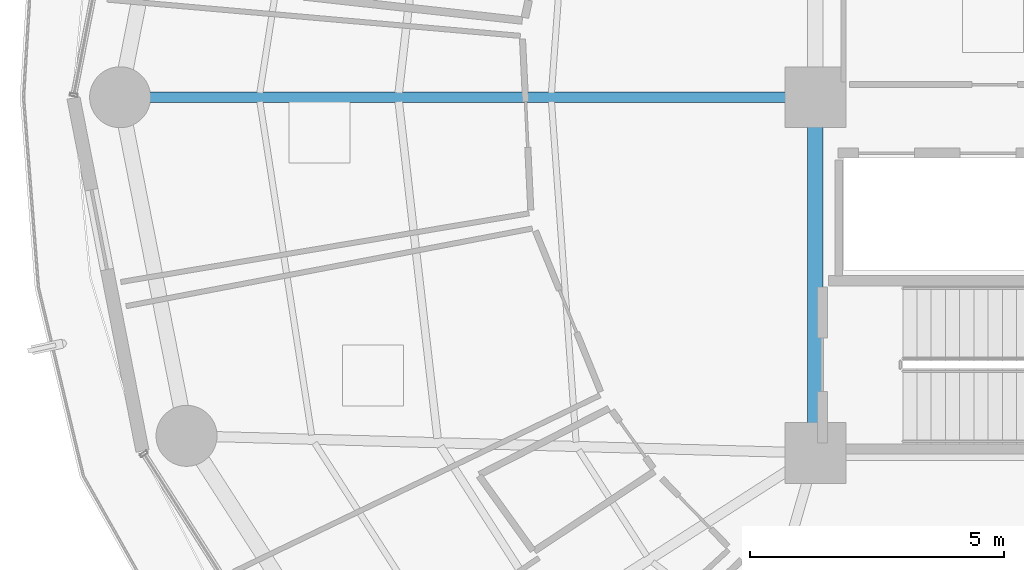
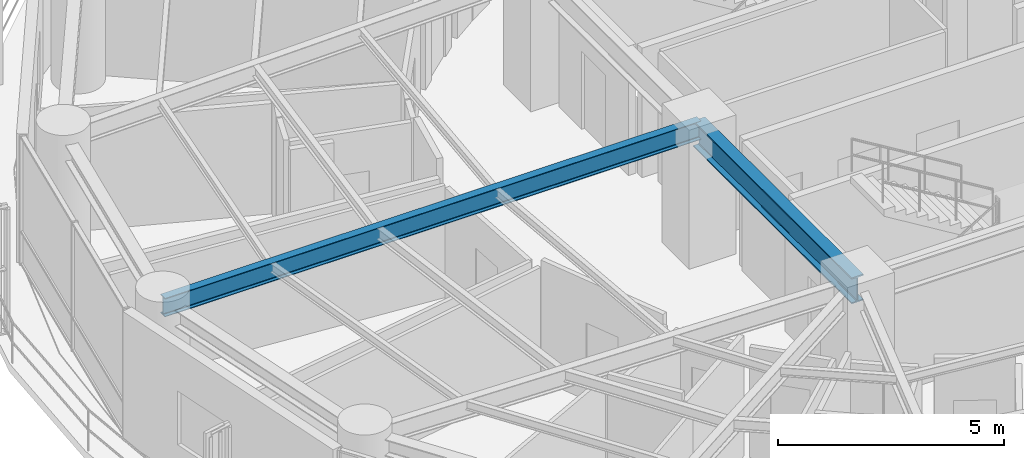
# One storey, part 7 of 28: 2 beams.
"""IFC4 building model written with IfcOpenShell, lengths in metres."""

from ifc_helpers import new_model, si_unit, direction, frame, origin, origin_2d, place, context, subcontext, project, spatial, i_section, extrude, material, material_profile, profile_set, type_object, element, save


model = new_model("IFC4")

# Units and contexts
model_context = context("Model", 3, precision=1e-05, world=origin(), true_north=direction((0.0, 1.0)))
body_context = subcontext(model_context, "Body", "Model", "MODEL_VIEW")
ifc_project = project(units=[si_unit("LENGTHUNIT", "METRE"), si_unit("AREAUNIT", "SQUARE_METRE"), si_unit("VOLUMEUNIT", "CUBIC_METRE"), si_unit("PLANEANGLEUNIT", "RADIAN"), si_unit("MASSUNIT", "GRAM", prefix="KILO")], contexts=[model_context])

# Site, building, storey
site_placement = place(None, origin())
site = spatial("IfcSite", under=ifc_project, at=site_placement, CompositionType="ELEMENT")
building_placement = place(site_placement, origin())
building = spatial("IfcBuilding", under=site, at=building_placement, Name="Kelanora Arch Commons", CompositionType="ELEMENT")
storey_placement = place(building_placement, frame((0.0, 0.0, 158.10009765625)))
storey = spatial("IfcBuildingStorey", under=building, at=storey_placement, Name="L40", CompositionType="ELEMENT", Elevation=158.10009765625)

# Beams
ifc_material = material(Name="Steel S355", Category="steel")
ifc_material_profile_1 = material_profile(ifc_material, i_section(OverallWidth=0.300048828125, OverallDepth=0.699951171875, WebThickness=0.01708984375, FlangeThickness=0.031982421875, FilletRadius=0.027099609375, at=origin_2d()), Name="HEB700")
ifc_profile_set_1 = profile_set([ifc_material_profile_1], Name="Steel S355")
beam_type_1 = type_object("IfcBeamType", Name="BM-CORE-HDR", PredefinedType="BEAM", material=ifc_profile_set_1)
beam_1_placement = place(storey_placement, frame((66.0, 58.0, 3.139892578125), z_axis=(0.0, -1.0, 0.0), x_axis=(1.0, 0.0, 0.0)))
element("IfcBeam", 1, at=beam_1_placement, inside=storey, type_object=beam_type_1, Name="Core Header Beam 09 L40", PredefinedType="BEAM", context=body_context, shape_type="SweptSolid", body=[
    extrude(i_section(OverallWidth=0.300048828125, OverallDepth=0.699951171875, WebThickness=0.01708984375, FlangeThickness=0.031982421875, FilletRadius=0.027099609375, at=origin_2d()), origin(), (0.0, 0.0, 1.0), 7.0),
])
ifc_material_profile_2 = material_profile(ifc_material, i_section(OverallWidth=0.199951171875, OverallDepth=0.5, WebThickness=0.01025390625, FlangeThickness=0.01611328125, FilletRadius=0.02099609375, at=origin_2d()), Name="IPE500")
ifc_profile_set_2 = profile_set([ifc_material_profile_2], Name="Steel S355")
beam_type_2 = type_object("IfcBeamType", Name="BM-RAD-Z3", PredefinedType="BEAM", material=ifc_profile_set_2)
beam_2_placement = place(storey_placement, frame((66.0, 58.0, 3.239990234375), z_axis=(-1.0, 0.0, 0.0), x_axis=(0.0, -1.0, 0.0)))
element("IfcBeam", 2, at=beam_2_placement, inside=storey, type_object=beam_type_2, Name="Radial Floor Girder BR-18 L40", PredefinedType="BEAM", context=body_context, shape_type="SweptSolid", body=[
    extrude(i_section(OverallWidth=0.199951171875, OverallDepth=0.5, WebThickness=0.01025390625, FlangeThickness=0.01611328125, FilletRadius=0.02099609375, at=origin_2d()), origin(), (0.0, 0.0, 1.0), 13.679931640625),
])

save(model, "model.ifc")
